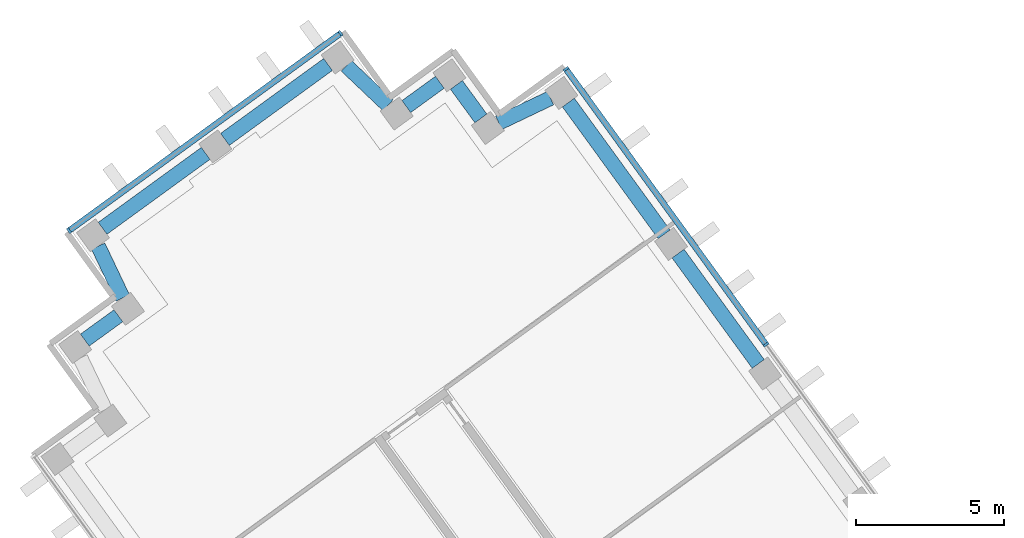
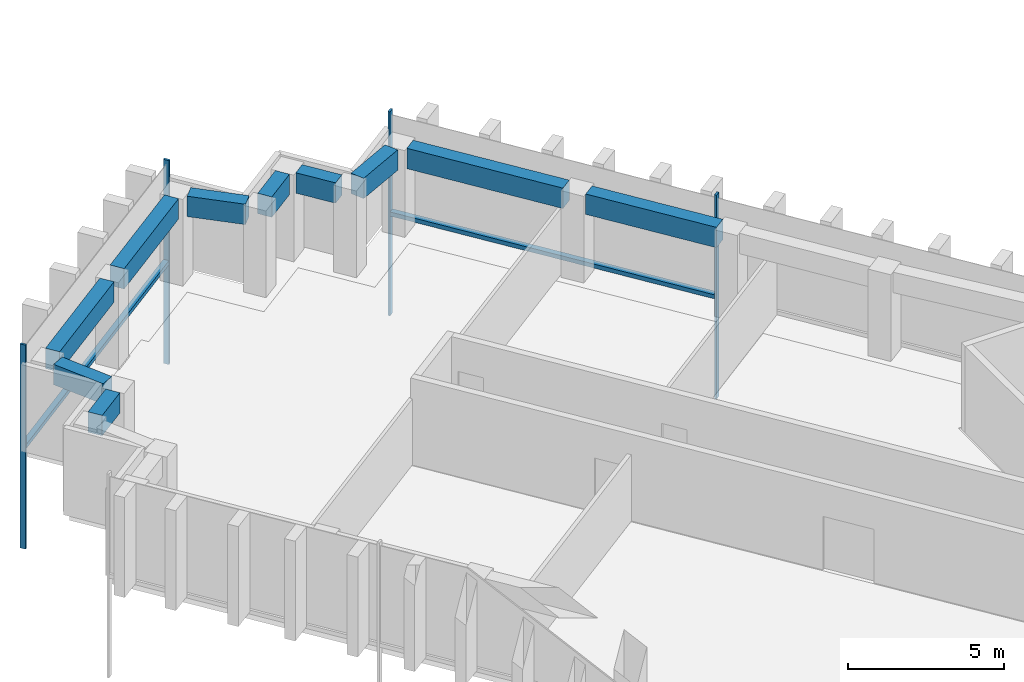
# One storey, part 4 of 13: 10 beams, 6 members, 2 elements without a shape of their own.
"""IFC4 building model written with IfcOpenShell, lengths in metres."""

import ifcopenshell
import ifcopenshell.guid

model = None  # the IFC model being written
_history = None  # IfcOwnerHistory: only IFC2X3 demands one
_inside = {}  # id of a spatial element -> (the spatial element, [elements in it])
_under = {}  # id of a project, library or spatial element -> (it, [spatial elements below it])
_declared = {}  # id of a project -> (the project, [libraries it declares])
_typed = {}  # id of a type object -> (the type object, [elements of that type])
_made_of = {}  # id of a material, layer set ... -> (it, [elements and type objects made of it])


def new_model(schema):
    """Start an empty IFC model of exactly this schema.

    Asked for "IFC4X3", IfcOpenShell would pick the latest addendum, in which some entities
    have other attributes; the version numbers below select the first issue.
    IFC2X3 requires an IfcOwnerHistory on every rooted entity: one is made here for all.
    """
    global model, _history
    if schema == "IFC4X3":
        model = ifcopenshell.file(schema_version=(4, 3, 0, 0))
    else:
        model = ifcopenshell.file(schema=schema)
    _inside.clear()
    _under.clear()
    _declared.clear()
    _typed.clear()
    _made_of.clear()
    _history = None
    if model.schema == "IFC2X3":
        org = make("IfcOrganization", Name="unknown")
        user = make(
            "IfcPersonAndOrganization",
            ThePerson=make("IfcPerson", FamilyName="unknown"),
            TheOrganization=org,
        )
        app = make(
            "IfcApplication",
            ApplicationDeveloper=org,
            Version="unknown",
            ApplicationFullName="unknown",
            ApplicationIdentifier="unknown",
        )
        _history = make(
            "IfcOwnerHistory",
            OwningUser=user,
            OwningApplication=app,
            ChangeAction="ADDED",
            CreationDate=0,
        )
    return model


def make(cls, **values):
    """One entity of the class cls with the attributes given. An attribute that is None is left unset."""
    return model.create_entity(
        cls, **{name: value for name, value in values.items() if value is not None}
    )


def rooted(cls, **values):
    """An entity with a GlobalId (a new one), such as an element, a storey or a relation."""
    return make(cls, GlobalId=ifcopenshell.guid.new(), OwnerHistory=_history, **values)


def si_unit(unit_type, name, prefix=None):
    """IfcSIUnit, for example si_unit("LENGTHUNIT", "METRE", prefix="MILLI")."""
    return make("IfcSIUnit", UnitType=unit_type, Prefix=prefix, Name=name)


def assignment(units):
    """IfcUnitAssignment: the units of a project."""
    return None if units is None else make("IfcUnitAssignment", Units=units)


def point(xyz):
    """IfcCartesianPoint."""
    return None if xyz is None else make("IfcCartesianPoint", Coordinates=xyz)


def direction(xyz):
    """IfcDirection."""
    return None if xyz is None else make("IfcDirection", DirectionRatios=xyz)


def frame(location, z_axis=None, x_axis=None):
    """IfcAxis2Placement3D, a coordinate frame: its origin and axes. An axis left out is left unset."""
    return make(
        "IfcAxis2Placement3D",
        Location=point(location),
        Axis=direction(z_axis),
        RefDirection=direction(x_axis),
    )


def frame_2d(location, x_axis=None):
    """IfcAxis2Placement2D, a coordinate frame in the plane: its origin and x axis."""
    return make(
        "IfcAxis2Placement2D", Location=point(location), RefDirection=direction(x_axis)
    )


def origin():
    """The frame at (0, 0, 0) with its axes left unset."""
    return frame((0.0, 0.0, 0.0))


def origin_2d():
    """The frame at (0, 0) in the plane with its x axis left unset."""
    return frame_2d((0.0, 0.0))


def place(relative_to, where):
    """IfcLocalPlacement: puts the frame where relative to a parent placement (None: the world)."""
    return make(
        "IfcLocalPlacement", PlacementRelTo=relative_to, RelativePlacement=where
    )


def context(
    kind, dimensions, precision=None, world=None, true_north=None, identifier=None
):
    """IfcGeometricRepresentationContext, for example the 3D "Model" context."""
    return make(
        "IfcGeometricRepresentationContext",
        ContextIdentifier=identifier,
        ContextType=kind,
        CoordinateSpaceDimension=dimensions,
        Precision=precision,
        WorldCoordinateSystem=world,
        TrueNorth=true_north,
    )


def subcontext(parent, identifier, kind, view, scale=None):
    """IfcGeometricRepresentationSubContext, for example "Body" below "Model"."""
    return make(
        "IfcGeometricRepresentationSubContext",
        ContextIdentifier=identifier,
        ContextType=kind,
        ParentContext=parent,
        TargetScale=scale,
        TargetView=view,
    )


def project(units=None, contexts=None):
    """IfcProject with its units and contexts."""
    return rooted(
        "IfcProject",
        Name="project",
        RepresentationContexts=contexts,
        UnitsInContext=assignment(units),
    )


def spatial(cls, under=None, at=None, **own):
    """A site, building, storey or space (cls), placed at a placement, below another one or the project."""
    s = rooted(cls, ObjectPlacement=at, **own)
    if under is not None:
        _under.setdefault(under.id(), (under, []))[1].append(s)
    return s


def profile(cls, at=None, kind="AREA", **sizes):
    """A parametric profile (cls). Its sizes go by their IFC names, for example OverallWidth=200.0."""
    return make(cls, ProfileType=kind, Position=at, **sizes)


def rectangle(**sizes):
    """IfcRectangleProfileDef."""
    return profile("IfcRectangleProfileDef", **sizes)


def extrude(swept, where, along, depth):
    """IfcExtrudedAreaSolid: the profile swept, set in the frame where, extruded along a direction by depth."""
    return make(
        "IfcExtrudedAreaSolid",
        SweptArea=swept,
        Position=where,
        ExtrudedDirection=direction(along),
        Depth=depth,
    )


def shape(context_of_items, identifier, shape_type, items):
    """IfcShapeRepresentation: the items that make up one representation, for example the "Body"."""
    return make(
        "IfcShapeRepresentation",
        ContextOfItems=context_of_items,
        RepresentationIdentifier=identifier,
        RepresentationType=shape_type,
        Items=items,
    )


def material(Name=None, Category=None):
    """IfcMaterial."""
    return make("IfcMaterial", Name=Name, Category=Category)


def material_profile(
    of_material, cross_section, Name=None, Category=None, Priority=None
):
    """IfcMaterialProfile: a cross section and its material."""
    return make(
        "IfcMaterialProfile",
        Name=Name,
        Material=of_material,
        Profile=cross_section,
        Priority=Priority,
        Category=Category,
    )


def profile_set(profiles, Name=None, composite=None):
    """IfcMaterialProfileSet."""
    return make(
        "IfcMaterialProfileSet",
        Name=Name,
        MaterialProfiles=profiles,
        CompositeProfile=composite,
    )


def made_of(thing, what):
    """Note that an element or type object is made of a material, layer set ...; save() writes the relation."""
    if what is not None:
        _made_of.setdefault(what.id(), (what, []))[1].append(thing)
    return thing


def type_object(cls, material=None, **own):
    """A type object (cls), such as IfcWallType, which elements share."""
    return made_of(rooted(cls, **own), material)


def element(
    cls,
    number,
    at=None,
    inside=None,
    cuts=None,
    type_object=None,
    material=None,
    context=None,
    identifier="Body",
    shape_type=None,
    held_by="IfcProductDefinitionShape",
    body=None,
    shapes=None,
    **own,
):
    """One element of the class cls, such as IfcWall. Its Tag is "e" and its number.

    at: its placement. inside: the storey or other place that contains it. cuts: it is an
    opening in that element (IfcRelVoidsElement). A single representation is given by context,
    identifier, shape_type and body (its items); several are given by shapes. held_by: the class
    of the entity that holds the representations. save() writes the other relations.
    """
    e = rooted(cls, Tag="e%d" % number, ObjectPlacement=at, **own)
    if body is not None:
        shapes = [shape(context, identifier, shape_type, body)]
    if shapes is not None:
        e.Representation = make(held_by, Representations=shapes)
    if inside is not None:
        _inside.setdefault(inside.id(), (inside, []))[1].append(e)
    if cuts is not None:
        rooted(
            "IfcRelVoidsElement", RelatingBuildingElement=cuts, RelatedOpeningElement=e
        )
    if type_object is not None:
        _typed.setdefault(type_object.id(), (type_object, []))[1].append(e)
    return made_of(e, material)


def aggregate(whole, parts):
    """IfcRelAggregates: a whole, such as a stair, and the parts it consists of."""
    return rooted("IfcRelAggregates", RelatingObject=whole, RelatedObjects=parts)


def save(model, path):
    """Write the relations noted so far, then the file.

    IfcRelAggregates (storeys below a building ...), IfcRelContainedInSpatialStructure (elements
    in a storey), IfcRelDefinesByType, IfcRelAssociatesMaterial and IfcRelDeclares: one each for
    every whole, place, type object, material and project.
    """
    for whole, parts in _under.values():
        aggregate(whole, parts)
    for where, things in _inside.values():
        rooted(
            "IfcRelContainedInSpatialStructure",
            RelatedElements=things,
            RelatingStructure=where,
        )
    for kind, things in _typed.values():
        rooted("IfcRelDefinesByType", RelatedObjects=things, RelatingType=kind)
    for what, things in _made_of.values():
        rooted("IfcRelAssociatesMaterial", RelatedObjects=things, RelatingMaterial=what)
    for by, libraries in _declared.values():
        rooted("IfcRelDeclares", RelatingContext=by, RelatedDefinitions=libraries)
    model.write(path)


model = new_model("IFC4")

# Units and contexts
model_context = context("Model", 3, precision=1e-05, world=origin(), true_north=direction((0.0, 1.0)))
body_context = subcontext(model_context, "Body", "Model", "MODEL_VIEW")
ifc_project = project(units=[si_unit("LENGTHUNIT", "METRE"), si_unit("AREAUNIT", "SQUARE_METRE"), si_unit("VOLUMEUNIT", "CUBIC_METRE"), si_unit("PLANEANGLEUNIT", "RADIAN"), si_unit("MASSUNIT", "GRAM", prefix="KILO")], contexts=[model_context])

# Site, building, storey
site_placement = place(None, origin())
site = spatial("IfcSite", under=ifc_project, at=site_placement, CompositionType="ELEMENT")
building_placement = place(site_placement, origin())
building = spatial("IfcBuilding", under=site, at=building_placement, Name="Quipu Civic Tower", CompositionType="ELEMENT")
storey_placement = place(building_placement, frame((0.0, 0.0, 184.0)))
storey = spatial("IfcBuildingStorey", under=building, at=storey_placement, Name="L43", CompositionType="ELEMENT", Elevation=184.0)

# Curtain wall, members
ifc_material_1 = material(Name="Insulated glass unit", Category="glass")
curtain_wall_type = type_object("IfcCurtainWallType", Name="Office curtain wall CW1", PredefinedType="NOTDEFINED", material=ifc_material_1)
curtain_wall_1_placement = place(storey_placement, origin())
curtain_wall_1 = element("IfcCurtainWall", 1, at=curtain_wall_1_placement, inside=storey, type_object=curtain_wall_type, Name="Office curtain wall CW1 L42 run 1", PredefinedType="NOTDEFINED")
ifc_material_2 = material(Name="Anodised aluminium", Category="aluminium")
ifc_material_profile_1 = material_profile(ifc_material_2, rectangle(XDim=0.199951171875, YDim=0.080078125, at=origin_2d()), Name="RECT 200x80")
ifc_profile_set_1 = profile_set([ifc_material_profile_1], Name="Anodised aluminium")
member_type_1 = type_object("IfcMemberType", Name="Mullion CW1", PredefinedType="MULLION", material=ifc_profile_set_1)
member_1_placement = place(storey_placement, frame((-21.11669921875, 20.421630859375, -3.919921875), z_axis=(0.0, 0.0, 1.0), x_axis=(-0.809014469803, -0.587788727052, 0.0)))
member_1 = element("IfcMember", 2, at=member_1_placement, type_object=member_type_1, Name="CW1 mullion 2", PredefinedType="MULLION", context=body_context, shape_type="SweptSolid", body=[
    extrude(rectangle(XDim=0.199951171875, YDim=0.080078125, at=origin_2d()), origin(), (0.0, 0.0, 1.0), 8.0),
])
member_2_placement = place(storey_placement, frame((-27.865966796875, 29.7109375, -3.919921875), z_axis=(0.0, 0.0, 1.0), x_axis=(-0.809014469803, -0.587788727052, 0.0)))
member_2 = element("IfcMember", 3, at=member_2_placement, type_object=member_type_1, Name="CW1 mullion 3", PredefinedType="MULLION", context=body_context, shape_type="SweptSolid", body=[
    extrude(rectangle(XDim=0.199951171875, YDim=0.080078125, at=origin_2d()), origin(), (0.0, 0.0, 1.0), 8.0),
])

curtain_wall_2_placement = place(storey_placement, origin())
curtain_wall_2 = element("IfcCurtainWall", 4, at=curtain_wall_2_placement, inside=storey, type_object=curtain_wall_type, Name="Office curtain wall CW1 L42 run 6", PredefinedType="NOTDEFINED")
member_3_placement = place(storey_placement, frame((-35.46435546875, 30.914306640625, -3.919921875), z_axis=(0.0, 0.0, 1.0), x_axis=(0.587787753918, -0.809015176832, 0.0)))
member_3 = element("IfcMember", 5, at=member_3_placement, type_object=member_type_1, Name="CW1 mullion 1", PredefinedType="MULLION", context=body_context, shape_type="SweptSolid", body=[
    extrude(rectangle(XDim=0.199951171875, YDim=0.080078125, at=origin_2d()), origin(), (0.0, 0.0, 1.0), 8.0),
])
member_4_placement = place(storey_placement, frame((-44.62255859375, 24.260498046875, -3.919921875), z_axis=(0.0, 0.0, 1.0), x_axis=(0.587787753918, -0.809015176832, 0.0)))
member_4 = element("IfcMember", 6, at=member_4_placement, type_object=member_type_1, Name="CW1 mullion 2", PredefinedType="MULLION", context=body_context, shape_type="SweptSolid", body=[
    extrude(rectangle(XDim=0.199951171875, YDim=0.080078125, at=origin_2d()), origin(), (0.0, 0.0, 1.0), 8.0),
])

# Beams
ifc_material_3 = material(Name="Concrete C50/60", Category="concrete")
ifc_material_profile_2 = material_profile(ifc_material_3, rectangle(XDim=0.5, YDim=0.800048828125, at=origin_2d()), Name="RC500x800")
ifc_profile_set_2 = profile_set([ifc_material_profile_2], Name="Concrete C50/60")
beam_type = type_object("IfcBeamType", Name="Spandrel beam RC 500x800 C50/60", PredefinedType="SPANDREL", material=ifc_profile_set_2)
beam_1_placement = place(storey_placement, frame((-21.382568359375, 19.767333984375, 3.0), z_axis=(-0.587736122681, 0.809052686848, 0.0), x_axis=(-0.809052686848, -0.587736122681, 0.0)))
element("IfcBeam", 7, at=beam_1_placement, inside=storey, type_object=beam_type, Name="Spandrel beam L43 W-IN-02 to W-IN-03", PredefinedType="SPANDREL", context=body_context, shape_type="SweptSolid", body=[
    extrude(rectangle(XDim=0.5, YDim=0.800048828125, at=origin_2d()), origin(), (0.0, 0.0, 1.0), 4.60009765625),
])
beam_2_placement = place(storey_placement, frame((-24.556396484375, 24.13623046875, 3.0), z_axis=(-0.587664254196, 0.809104890815, 0.0), x_axis=(-0.809104890815, -0.587664254196, 0.0)))
element("IfcBeam", 8, at=beam_2_placement, inside=storey, type_object=beam_type, Name="Spandrel beam L43 W-IN-03 to T-Wi.0-W34", PredefinedType="SPANDREL", context=body_context, shape_type="SweptSolid", body=[
    extrude(rectangle(XDim=0.5, YDim=0.800048828125, at=origin_2d()), origin(), (0.0, 0.0, 1.0), 5.493896484375),
])
beam_3_placement = place(storey_placement, frame((-28.38720703125, 28.72998046875, 3.0), z_axis=(-0.902584802379, -0.430512107279, 0.0), x_axis=(0.430512107279, -0.902584802379, 0.0)))
element("IfcBeam", 9, at=beam_3_placement, inside=storey, type_object=beam_type, Name="Spandrel beam L43 T-Wi.0-W34 to T-Wi.1-W34", PredefinedType="SPANDREL", context=body_context, shape_type="SweptSolid", body=[
    extrude(rectangle(XDim=0.5, YDim=0.800048828125, at=origin_2d()), origin(), (0.0, 0.0, 1.0), 1.9326171875),
])
beam_4_placement = place(storey_placement, frame((-30.734375, 28.0458984375, 3.0), z_axis=(-0.589342949835, 0.80788296645, 0.0), x_axis=(-0.80788296645, -0.589342949835, 0.0)))
element("IfcBeam", 10, at=beam_4_placement, inside=storey, type_object=beam_type, Name="Spandrel beam L43 T-Wi.1-W34 to T-Wi.2-W34", PredefinedType="SPANDREL", context=body_context, shape_type="SweptSolid", body=[
    extrude(rectangle(XDim=0.5, YDim=0.800048828125, at=origin_2d()), origin(), (0.0, 0.0, 1.0), 1.39990234375),
])
beam_5_placement = place(storey_placement, frame((-32.118896484375, 29.26513671875, 3.0), z_axis=(-0.80941533633, -0.587236590578, 0.0), x_axis=(0.587236590578, -0.80941533633, 0.0)))
element("IfcBeam", 11, at=beam_5_placement, inside=storey, type_object=beam_type, Name="Spandrel beam L43 T-Wi.2-W34 to T-Wi.3-W34", PredefinedType="SPANDREL", context=body_context, shape_type="SweptSolid", body=[
    extrude(rectangle(XDim=0.5, YDim=0.800048828125, at=origin_2d()), origin(), (0.0, 0.0, 1.0), 1.397705078125),
])
beam_6_placement = place(storey_placement, frame((-33.868896484375, 28.489501953125, 3.0), z_axis=(-0.72519185421, 0.68854685722, 0.0), x_axis=(-0.68854685722, -0.72519185421, 0.0)))
element("IfcBeam", 12, at=beam_6_placement, inside=storey, type_object=beam_type, Name="Spandrel beam L43 T-Wi.3-W34 to T-Wi.4-W34", PredefinedType="SPANDREL", context=body_context, shape_type="SweptSolid", body=[
    extrude(rectangle(XDim=0.5, YDim=0.800048828125, at=origin_2d()), origin(), (0.0, 0.0, 1.0), 1.93212890625),
])
beam_7_placement = place(storey_placement, frame((-35.888671875, 29.86474609375, 3.0), z_axis=(-0.808983997561, -0.58783066583, 0.0), x_axis=(0.58783066583, -0.808983997561, 0.0)))
element("IfcBeam", 13, at=beam_7_placement, inside=storey, type_object=beam_type, Name="Spandrel beam L43 T-Wi.4-W34 to TIP-W-01-W34", PredefinedType="SPANDREL", context=body_context, shape_type="SweptSolid", body=[
    extrude(rectangle(XDim=0.5, YDim=0.800048828125, at=origin_2d()), origin(), (0.0, 0.0, 1.0), 4.2998046875),
])
beam_8_placement = place(storey_placement, frame((-40.014404296875, 26.866943359375, 3.0), z_axis=(-0.808947267178, -0.587881211578, 0.0), x_axis=(0.587881211578, -0.808947267178, 0.0)))
element("IfcBeam", 14, at=beam_8_placement, inside=storey, type_object=beam_type, Name="Spandrel beam L43 TIP-W-01-W34 to T-Wo.0-W34", PredefinedType="SPANDREL", context=body_context, shape_type="SweptSolid", body=[
    extrude(rectangle(XDim=0.5, YDim=0.800048828125, at=origin_2d()), origin(), (0.0, 0.0, 1.0), 4.29833984375),
])
beam_9_placement = place(storey_placement, frame((-43.64013671875, 23.737548828125, 3.0), z_axis=(0.429889421342, -0.902881545618, 0.0), x_axis=(0.902881545618, 0.429889421342, 0.0)))
element("IfcBeam", 15, at=beam_9_placement, inside=storey, type_object=beam_type, Name="Spandrel beam L43 T-Wo.0-W34 to T-Wo.1-W34", PredefinedType="SPANDREL", context=body_context, shape_type="SweptSolid", body=[
    extrude(rectangle(XDim=0.5, YDim=0.800048828125, at=origin_2d()), origin(), (0.0, 0.0, 1.0), 1.931396484375),
])
beam_10_placement = place(storey_placement, frame((-42.958740234375, 21.391357421875, 3.0), z_axis=(-0.809467380413, -0.587164849125, 0.0), x_axis=(0.587164849125, -0.809467380413, 0.0)))
element("IfcBeam", 16, at=beam_10_placement, inside=storey, type_object=beam_type, Name="Spandrel beam L43 T-Wo.1-W34 to T-Wo.2-W34", PredefinedType="SPANDREL", context=body_context, shape_type="SweptSolid", body=[
    extrude(rectangle(XDim=0.5, YDim=0.800048828125, at=origin_2d()), origin(), (0.0, 0.0, 1.0), 1.399169921875),
])

# Member
ifc_material_4 = material(Name="Anodised aluminium", Category="aluminium")
ifc_material_profile_3 = material_profile(ifc_material_4, rectangle(XDim=0.199951171875, YDim=0.159912109375, at=origin_2d()), Name="RECT 200x160")
ifc_profile_set_3 = profile_set([ifc_material_profile_3], Name="Anodised aluminium")
member_type_2 = type_object("IfcMemberType", Name="Transom CW1", PredefinedType="USERDEFINED", material=ifc_profile_set_3)
member_5_placement = place(storey_placement, frame((-21.140380859375, 20.453857421875, 0.080078125), z_axis=(-0.587775682251, 0.809023947331, 0.0), x_axis=(-0.809023947331, -0.587775682251, 0.0)))
member_5 = element("IfcMember", 17, at=member_5_placement, type_object=member_type_2, Name="CW1 transom 2.2", ObjectType="TRANSOM", PredefinedType="USERDEFINED", context=body_context, shape_type="SweptSolid", body=[
    extrude(rectangle(XDim=0.199951171875, YDim=0.159912109375, at=origin_2d()), origin(), (0.0, 0.0, 1.0), 11.402099609375),
])

aggregate(curtain_wall_1, [member_1, member_2, member_5])

member_6_placement = place(storey_placement, frame((-35.496826171875, 30.890869140625, 0.080078125), z_axis=(-0.809014959561, -0.587788052963, 0.0), x_axis=(0.587788052963, -0.809014959561, 0.0)))
member_6 = element("IfcMember", 18, at=member_6_placement, type_object=member_type_2, Name="CW1 transom 1.2", ObjectType="TRANSOM", PredefinedType="USERDEFINED", context=body_context, shape_type="SweptSolid", body=[
    extrude(rectangle(XDim=0.199951171875, YDim=0.159912109375, at=origin_2d()), origin(), (0.0, 0.0, 1.0), 11.239990234375),
])

aggregate(curtain_wall_2, [member_3, member_4, member_6])

save(model, "model.ifc")
